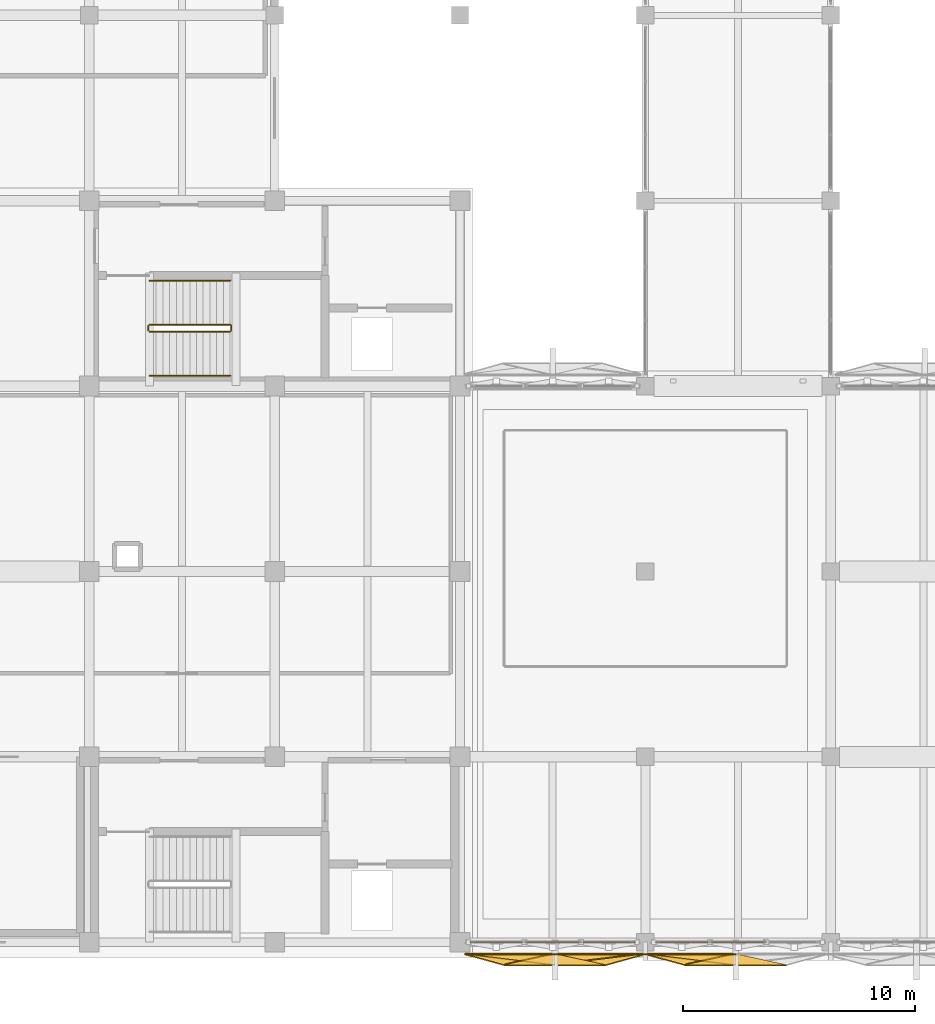
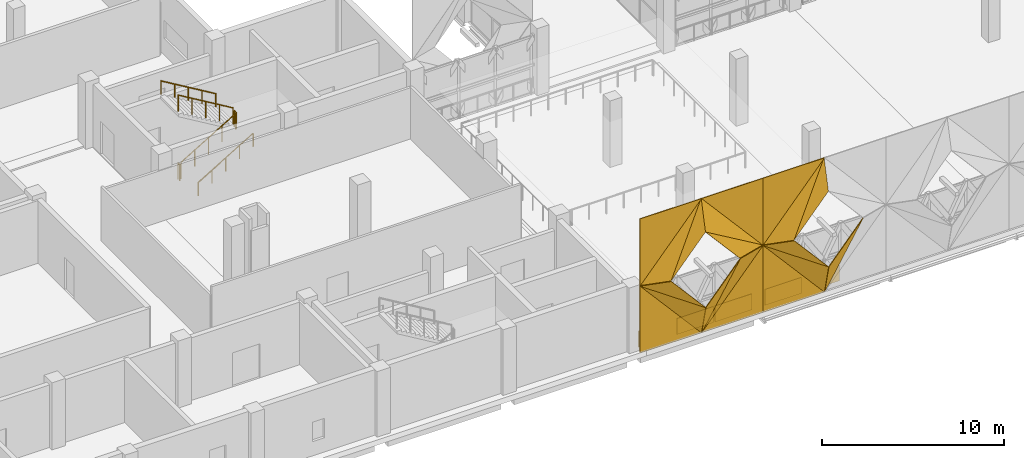
# One storey, part 43 of 53: 24 coverings, 6 railings.
"""IFC4 building model written with IfcOpenShell, lengths in metres."""

from ifc_helpers import new_model, si_unit, direction, frame, origin, origin_2d, place, context, subcontext, project, spatial, polyline, rectangle, circle, outline, extrude, material, layer, layer_set, type_object, element, save


model = new_model("IFC4")

# Units and contexts
model_context = context("Model", 3, precision=1e-05, world=origin(), true_north=direction((0.0, 1.0)))
body_context = subcontext(model_context, "Body", "Model", "MODEL_VIEW")
ifc_project = project(units=[si_unit("LENGTHUNIT", "METRE"), si_unit("AREAUNIT", "SQUARE_METRE"), si_unit("VOLUMEUNIT", "CUBIC_METRE"), si_unit("PLANEANGLEUNIT", "RADIAN"), si_unit("MASSUNIT", "GRAM", prefix="KILO")], contexts=[model_context])

# Site, building, storey
site_placement = place(None, origin())
site = spatial("IfcSite", under=ifc_project, at=site_placement, CompositionType="ELEMENT")
building_placement = place(site_placement, origin())
building = spatial("IfcBuilding", under=site, at=building_placement, Name="Qorikala Patio Media Centre", CompositionType="ELEMENT")
storey_placement = place(building_placement, frame((0.0, 0.0, 5.39990234375)))
storey = spatial("IfcBuildingStorey", under=building, at=storey_placement, Name="L01", CompositionType="ELEMENT", Elevation=5.39990234375)

# Coverings
ifc_material_1 = material(Name="Golden Bronze Anodised Aluminium Panel", Category="aluminium")
ifc_layer = layer(ifc_material_1, 0.044921875)
ifc_layer_set = layer_set([ifc_layer], Name="Golden Bronze Anodised Aluminium Panel")
covering_type = type_object("IfcCoveringType", Name="COV-CLAD-GOLD", PredefinedType="CLADDING", material=ifc_layer_set)
for number, where, z_axis, x_axis, name in (
    (1, (55.0, 3.0, 0.0), (0.0, 0.0, 1.0), (-1.0, 0.0, 0.0), "L01 Golden Diamond Fold Spandrel 035"),
    (2, (52.5732421875, 3.0, 0.0), (0.0, 0.0, 1.0), (-1.0, 0.0, 0.0), "L01 Golden Diamond Fold Spandrel 036"),
    (3, (49.4267578125, 3.0, 0.0), (0.0, 0.0, 1.0), (-1.0, 0.0, 0.0), "L01 Golden Diamond Fold Spandrel 037"),
    (4, (47.0, 3.0, 0.0), (0.0, 0.0, 1.0), (-1.0, 0.0, 0.0), "L01 Golden Diamond Fold Spandrel 038"),
    (5, (44.5732421875, 3.0, 0.0), (0.0, 0.0, 1.0), (-1.0, 0.0, 0.0), "L01 Golden Diamond Fold Spandrel 039"),
):
    element("IfcCovering", number, at=place(storey_placement, frame(where, z_axis=z_axis, x_axis=x_axis)), inside=storey, type_object=covering_type, Name=name, PredefinedType="CLADDING", context=body_context, shape_type="SweptSolid", body=[
        extrude(rectangle(XDim=2.32666015625, YDim=0.044921875, at=origin_2d()), origin(), (0.0, 0.0, 1.0), 1.077880859375),
    ])
covering_1_placement = place(storey_placement, frame((47.10009765625, 2.5, 9.0), z_axis=(-0.259956156203, -0.938968048279, 0.22530379749), x_axis=(-0.654944585876, 0.0, -0.755676908098)))
element("IfcCovering", 6, at=covering_1_placement, inside=storey, type_object=covering_type, Name="Golden Folded Diamond Facet S-1.1.TLA", PredefinedType="CLADDING", context=body_context, shape_type="SweptSolid", body=[
    extrude(outline(polyline([(0.0, 0.0), (5.954925910503226, 0.0), (4.830998787915266, 1.3810803066312252), (0.0, 0.0)])), origin(), (0.0, 0.0, -1.0), 0.044921875),
])
covering_2_placement = place(storey_placement, frame((47.10009765625, 2.5, 9.0), z_axis=(-0.259960295692, -0.938966460381, 0.225305638952), x_axis=(-0.434683585743, -0.094555584379, -0.895605617305)))
element("IfcCovering", 7, at=covering_2_placement, inside=storey, type_object=covering_type, Name="Golden Folded Diamond Facet S-1.1.TLB", PredefinedType="CLADDING", context=body_context, shape_type="SweptSolid", body=[
    extrude(outline(polyline([(0.0, 0.0), (5.024533023297128, 0.0), (1.8182047664907954, 0.9166088951760534), (0.0, 0.0)])), origin(), (0.0, 0.0, -1.0), 0.044921875),
])
covering_3_placement = place(storey_placement, frame((51.0, 2.5, 4.5), z_axis=(0.259973591034, -0.938962979761, 0.225304803775), x_axis=(-0.654921173069, 0.0, 0.755697199324)))
element("IfcCovering", 8, at=covering_3_placement, inside=storey, type_object=covering_type, Name="Golden Folded Diamond Facet S-1.1.TRA", PredefinedType="CLADDING", context=body_context, shape_type="SweptSolid", body=[
    extrude(outline(polyline([(0.0, 0.0), (5.9547660147806605, -4.440892098500626e-16), (4.458500319829892, 1.3810247679600853), (0.0, 0.0)])), origin(), (0.0, 0.0, -1.0), 0.044921875),
])
covering_4_placement = place(storey_placement, frame((51.0, 2.5, 4.5), z_axis=(0.25995773344, -0.938973745299, 0.225278233445), x_axis=(-0.83554610606, -0.10178870179, 0.539909033852)))
element("IfcCovering", 9, at=covering_4_placement, inside=storey, type_object=covering_type, Name="Golden Folded Diamond Facet S-1.1.TRB", PredefinedType="CLADDING", context=body_context, shape_type="SweptSolid", body=[
    extrude(outline(polyline([(0.0, 0.0), (4.667489101395145, -4.440892098500626e-16), (1.4822105452103993, 0.9867354710967576), (0.0, 0.0)])), origin(), (0.0, 0.0, -1.0), 0.044921875),
])
covering_5_placement = place(storey_placement, frame((47.10009765625, 2.5, 0.0), z_axis=(-0.259956982212, 0.938971031843, 0.225290409823), x_axis=(0.654921173069, 0.0, 0.755697199324)))
element("IfcCovering", 10, at=covering_5_placement, inside=storey, type_object=covering_type, Name="Golden Folded Diamond Facet S-1.1.BRA", PredefinedType="CLADDING", context=body_context, shape_type="SweptSolid", body=[
    extrude(outline(polyline([(0.0, 0.0), (5.9547660147806605, -4.440892098500626e-16), (4.830879070078474, -1.38111300253869), (0.0, 0.0)])), origin(), (0.0, 0.0, -1.0), 0.044921875),
])
covering_6_placement = place(storey_placement, frame((47.10009765625, 2.5, 0.0), z_axis=(-0.259987393467, 0.938959366186, 0.225303936695), x_axis=(0.434644175798, -0.094557581454, 0.895624533069)))
element("IfcCovering", 11, at=covering_6_placement, inside=storey, type_object=covering_type, Name="Golden Folded Diamond Facet S-1.1.BRB", PredefinedType="CLADDING", context=body_context, shape_type="SweptSolid", body=[
    extrude(outline(polyline([(0.0, 0.0), (5.02442690418556, -2.220446049250313e-16), (1.8182431681390123, -0.9165327168855022), (0.0, 0.0)])), origin(), (0.0, 0.0, -1.0), 0.044921875),
])
covering_7_placement = place(storey_placement, frame((43.199951171875, 2.5, 4.5), z_axis=(0.259958417044, 0.938966952181, 0.22530575696), x_axis=(0.654944585876, 0.0, -0.755676908098)))
element("IfcCovering", 12, at=covering_7_placement, inside=storey, type_object=covering_type, Name="Golden Folded Diamond Facet S-1.1.BLA", PredefinedType="CLADDING", context=body_context, shape_type="SweptSolid", body=[
    extrude(outline(polyline([(0.0, 0.0), (5.954925910503226, 0.0), (4.458700391784378, -1.3810682954655882), (0.0, 0.0)])), origin(), (0.0, 0.0, -1.0), 0.044921875),
])
covering_8_placement = place(storey_placement, frame((43.199951171875, 2.5, 4.5), z_axis=(0.259956258476, 0.938968417692, 0.225302139927), x_axis=(0.835561894446, -0.101784253308, -0.539885438152)))
element("IfcCovering", 13, at=covering_8_placement, inside=storey, type_object=covering_type, Name="Golden Folded Diamond Facet S-1.1.BLB", PredefinedType="CLADDING", context=body_context, shape_type="SweptSolid", body=[
    extrude(outline(polyline([(0.0, 0.0), (4.667693094071031, -8.881784197001252e-16), (1.4822355256344402, -0.9866979460810914), (0.0, 0.0)])), origin(), (0.0, 0.0, -1.0), 0.044921875),
])
covering_9_placement = place(storey_placement, frame((43.199951171875, 2.5, 9.0), z_axis=(0.0, 1.0, 0.0), x_axis=(1.0, 0.0, 0.0)))
element("IfcCovering", 14, at=covering_9_placement, inside=storey, type_object=covering_type, Name="Golden Diamond Valley Spandrel S-1.1.CTL", PredefinedType="CLADDING", context=body_context, shape_type="SweptSolid", body=[
    extrude(outline(polyline([(0.0, 0.0), (3.900146484375, 0.0), (0.0, 4.5), (0.0, 0.0)])), origin(), (0.0, 0.0, -1.0), 0.044921875),
])
covering_10_placement = place(storey_placement, frame((51.0, 2.5, 9.0), z_axis=(0.0, 1.0, 0.0), x_axis=(0.0, 0.0, -1.0)))
element("IfcCovering", 15, at=covering_10_placement, inside=storey, type_object=covering_type, Name="Golden Diamond Valley Spandrel S-1.1.CTR", PredefinedType="CLADDING", context=body_context, shape_type="SweptSolid", body=[
    extrude(outline(polyline([(0.0, 0.0), (4.5, 0.0), (0.0, 3.89990234375), (0.0, 0.0)])), origin(), (0.0, 0.0, -1.0), 0.044921875),
])
covering_11_placement = place(storey_placement, frame((51.0, 2.5, 0.0), z_axis=(0.0, 1.0, 0.0), x_axis=(-1.0, 0.0, 0.0)))
element("IfcCovering", 16, at=covering_11_placement, inside=storey, type_object=covering_type, Name="Golden Diamond Valley Spandrel S-1.1.CBR", PredefinedType="CLADDING", context=body_context, shape_type="SweptSolid", body=[
    extrude(outline(polyline([(0.0, 0.0), (3.89990234375, 0.0), (0.0, 4.5), (0.0, 0.0)])), origin(), (0.0, 0.0, -1.0), 0.044921875),
])
covering_12_placement = place(storey_placement, frame((43.199951171875, 2.5, 0.0), z_axis=(0.0, 1.0, 0.0), x_axis=(0.0, 0.0, 1.0)))
element("IfcCovering", 17, at=covering_12_placement, inside=storey, type_object=covering_type, Name="Golden Diamond Valley Spandrel S-1.1.CBL", PredefinedType="CLADDING", context=body_context, shape_type="SweptSolid", body=[
    extrude(outline(polyline([(0.0, 0.0), (4.5, 0.0), (0.0, 3.900146484375), (0.0, 0.0)])), origin(), (0.0, 0.0, -1.0), 0.044921875),
])
covering_13_placement = place(storey_placement, frame((54.89990234375, 2.5, 9.0), z_axis=(-0.259956982212, -0.938971031843, 0.225290409823), x_axis=(-0.654921173069, 0.0, -0.755697199324)))
element("IfcCovering", 18, at=covering_13_placement, inside=storey, type_object=covering_type, Name="Golden Folded Diamond Facet S-1.2.TLA", PredefinedType="CLADDING", context=body_context, shape_type="SweptSolid", body=[
    extrude(outline(polyline([(0.0, 0.0), (5.9547660147806605, 4.440892098500626e-16), (4.830879070078474, 1.38111300253869), (0.0, 0.0)])), origin(), (0.0, 0.0, -1.0), 0.044921875),
])
covering_14_placement = place(storey_placement, frame((54.89990234375, 2.5, 9.0), z_axis=(-0.259987393467, -0.938959366186, 0.225303936695), x_axis=(-0.434644175798, -0.094557581454, -0.895624533069)))
element("IfcCovering", 19, at=covering_14_placement, inside=storey, type_object=covering_type, Name="Golden Folded Diamond Facet S-1.2.TLB", PredefinedType="CLADDING", context=body_context, shape_type="SweptSolid", body=[
    extrude(outline(polyline([(0.0, 0.0), (5.02442690418556, 2.220446049250313e-16), (1.8182431681390123, 0.9165327168855022), (0.0, 0.0)])), origin(), (0.0, 0.0, -1.0), 0.044921875),
])
covering_15_placement = place(storey_placement, frame((54.89990234375, 2.5, 0.0), z_axis=(-0.259960295692, 0.938966460381, 0.225305638952), x_axis=(0.434683585743, -0.094555584379, 0.895605617305)))
element("IfcCovering", 20, at=covering_15_placement, inside=storey, type_object=covering_type, Name="Golden Folded Diamond Facet S-1.2.BRB", PredefinedType="CLADDING", context=body_context, shape_type="SweptSolid", body=[
    extrude(outline(polyline([(0.0, 0.0), (5.024533023297128, 0.0), (1.8182047664907954, -0.9166088951760534), (0.0, 0.0)])), origin(), (0.0, 0.0, -1.0), 0.044921875),
])
covering_16_placement = place(storey_placement, frame((51.0, 2.5, 4.5), z_axis=(0.259973591034, 0.938962979761, 0.225304803775), x_axis=(0.654921173069, 0.0, -0.755697199324)))
element("IfcCovering", 21, at=covering_16_placement, inside=storey, type_object=covering_type, Name="Golden Folded Diamond Facet S-1.2.BLA", PredefinedType="CLADDING", context=body_context, shape_type="SweptSolid", body=[
    extrude(outline(polyline([(0.0, 0.0), (5.9547660147806605, 4.440892098500626e-16), (4.458500319829892, -1.3810247679600853), (0.0, 0.0)])), origin(), (0.0, 0.0, -1.0), 0.044921875),
])
covering_17_placement = place(storey_placement, frame((51.0, 2.5, 4.5), z_axis=(0.25995773344, 0.938973745299, 0.225278233445), x_axis=(0.83554610606, -0.10178870179, -0.539909033852)))
element("IfcCovering", 22, at=covering_17_placement, inside=storey, type_object=covering_type, Name="Golden Folded Diamond Facet S-1.2.BLB", PredefinedType="CLADDING", context=body_context, shape_type="SweptSolid", body=[
    extrude(outline(polyline([(0.0, 0.0), (4.667489101395145, 4.440892098500626e-16), (1.4822105452103993, -0.9867354710967576), (0.0, 0.0)])), origin(), (0.0, 0.0, -1.0), 0.044921875),
])
covering_18_placement = place(storey_placement, frame((51.0, 2.5, 9.0), z_axis=(0.0, 1.0, 0.0), x_axis=(1.0, 0.0, 0.0)))
element("IfcCovering", 23, at=covering_18_placement, inside=storey, type_object=covering_type, Name="Golden Diamond Valley Spandrel S-1.2.CTL", PredefinedType="CLADDING", context=body_context, shape_type="SweptSolid", body=[
    extrude(outline(polyline([(0.0, 0.0), (3.89990234375, 0.0), (0.0, 4.5), (0.0, 0.0)])), origin(), (0.0, 0.0, -1.0), 0.044921875),
])
covering_19_placement = place(storey_placement, frame((51.0, 2.5, 0.0), z_axis=(0.0, 1.0, 0.0), x_axis=(0.0, 0.0, 1.0)))
element("IfcCovering", 24, at=covering_19_placement, inside=storey, type_object=covering_type, Name="Golden Diamond Valley Spandrel S-1.2.CBL", PredefinedType="CLADDING", context=body_context, shape_type="SweptSolid", body=[
    extrude(outline(polyline([(0.0, 0.0), (4.5, 0.0), (0.0, 3.89990234375), (0.0, 0.0)])), origin(), (0.0, 0.0, -1.0), 0.044921875),
])

# Railings
ifc_material_2 = material(Name="Wrought Bronze and Steel S355", Category="steel")
railing_type_1 = type_object("IfcRailingType", Name="RL-GUARD-110", PredefinedType="GUARDRAIL", material=ifc_material_2)
railing_1_placement = place(storey_placement, frame((29.60009765625, 29.35009765625, 0.173095703125)))
element("IfcRailing", 25, at=railing_1_placement, inside=storey, type_object=railing_type_1, Name="L01 ST-5 stair guard 1", PredefinedType="GUARDRAIL", context=body_context, shape_type="SweptSolid", body=[
    extrude(circle(Radius=0.02392578125, at=origin_2d()), frame((0.0, 0.0, 1.076171875), z_axis=(0.858697190188, 0.0, 0.512483302717), x_axis=(0.0, 1.0, 0.0)), (0.0, 0.0, 1.0), 4.052734375),
    extrude(circle(Radius=0.02099609375, at=origin_2d()), origin(), (0.0, 0.0, 1.0), 1.052001953125),
    extrude(circle(Radius=0.02099609375, at=origin_2d()), frame((0.8701171875, 0.0, 0.519287109375)), (0.0, 0.0, 1.0), 1.052001953125),
    extrude(circle(Radius=0.02099609375, at=origin_2d()), frame((1.739990234375, 0.0, 1.03857421875)), (0.0, 0.0, 1.0), 1.052001953125),
    extrude(circle(Radius=0.02099609375, at=origin_2d()), frame((2.60986328125, 0.0, 1.5576171875)), (0.0, 0.0, 1.0), 1.052001953125),
    extrude(circle(Radius=0.02099609375, at=origin_2d()), frame((3.47998046875, 0.0, 2.076904296875)), (0.0, 0.0, 1.0), 1.052001953125),
])
railing_2_placement = place(storey_placement, frame((33.1298828125, 29.39990234375, 2.25)))
element("IfcRailing", 26, at=railing_2_placement, inside=storey, type_object=railing_type_1, Name="L01 ST-5 stair guard 2", PredefinedType="GUARDRAIL", context=body_context, shape_type="SweptSolid", body=[
    extrude(circle(Radius=0.02392578125, at=origin_2d()), frame((0.0, 0.0, 1.076171875), z_axis=(0.0, 1.0, 0.0), x_axis=(-1.0, 0.0, 0.0)), (0.0, 0.0, 1.0), 0.2001953125),
    extrude(circle(Radius=0.02099609375, at=origin_2d()), origin(), (0.0, 0.0, 1.0), 1.052001953125),
    extrude(circle(Radius=0.02099609375, at=origin_2d()), frame((0.0, 0.2001953125, 0.0)), (0.0, 0.0, 1.0), 1.052001953125),
])
railing_3_placement = place(storey_placement, frame((33.080078125, 29.64990234375, 2.423095703125)))
element("IfcRailing", 27, at=railing_3_placement, inside=storey, type_object=railing_type_1, Name="L01 ST-5 stair guard 3", PredefinedType="GUARDRAIL", context=body_context, shape_type="SweptSolid", body=[
    extrude(circle(Radius=0.02392578125, at=origin_2d()), frame((0.0, 0.0, 1.076171875), z_axis=(-0.858697190188, 0.0, 0.512483302717), x_axis=(0.0, -1.0, 0.0)), (0.0, 0.0, 1.0), 4.052734375),
    extrude(circle(Radius=0.02099609375, at=origin_2d()), origin(), (0.0, 0.0, 1.0), 1.052001953125),
    extrude(circle(Radius=0.02099609375, at=origin_2d()), frame((-0.8701171875, 0.0, 0.519287109375)), (0.0, 0.0, 1.0), 1.052001953125),
    extrude(circle(Radius=0.02099609375, at=origin_2d()), frame((-1.739990234375, 0.0, 1.03857421875)), (0.0, 0.0, 1.0), 1.052001953125),
    extrude(circle(Radius=0.02099609375, at=origin_2d()), frame((-2.60986328125, 0.0, 1.5576171875)), (0.0, 0.0, 1.0), 1.052001953125),
    extrude(circle(Radius=0.02099609375, at=origin_2d()), frame((-3.47998046875, 0.0, 2.076904296875)), (0.0, 0.0, 1.0), 1.052001953125),
])
railing_4_placement = place(storey_placement, frame((29.550048828125, 29.39990234375, 0.0)))
element("IfcRailing", 28, at=railing_4_placement, inside=storey, type_object=railing_type_1, Name="L01 ST-5 stair guard 4", PredefinedType="GUARDRAIL", context=body_context, shape_type="SweptSolid", body=[
    extrude(circle(Radius=0.02392578125, at=origin_2d()), frame((0.0, 0.0, 1.076171875), z_axis=(0.0, 1.0, 0.0), x_axis=(-1.0, 0.0, 0.0)), (0.0, 0.0, 1.0), 0.2001953125),
    extrude(circle(Radius=0.02099609375, at=origin_2d()), origin(), (0.0, 0.0, 1.0), 1.052001953125),
    extrude(circle(Radius=0.02099609375, at=origin_2d()), frame((0.0, 0.2001953125, 0.0)), (0.0, 0.0, 1.0), 1.052001953125),
])
ifc_material_3 = material(Name="Brushed Bronze Tubular Steel S355", Category="steel")
railing_type_2 = type_object("IfcRailingType", Name="RL-HAND-090", PredefinedType="HANDRAIL", material=ifc_material_3)
railing_5_placement = place(storey_placement, frame((29.60009765625, 27.449951171875, 0.173095703125)))
element("IfcRailing", 29, at=railing_5_placement, inside=storey, type_object=railing_type_2, Name="L01 ST-5 stair handrail 1", PredefinedType="HANDRAIL", context=body_context, shape_type="SweptSolid", body=[
    extrude(circle(Radius=0.02392578125, at=origin_2d()), frame((0.0, 0.0, 0.8759765625), z_axis=(0.858697190188, 0.0, 0.512483302717), x_axis=(0.0, 1.0, 0.0)), (0.0, 0.0, 1.0), 4.052734375),
    extrude(circle(Radius=0.02099609375, at=origin_2d()), origin(), (0.0, 0.0, 1.0), 0.851806640625),
    extrude(circle(Radius=0.02099609375, at=origin_2d()), frame((0.8701171875, 0.0, 0.519287109375)), (0.0, 0.0, 1.0), 0.851806640625),
    extrude(circle(Radius=0.02099609375, at=origin_2d()), frame((1.739990234375, 0.0, 1.03857421875)), (0.0, 0.0, 1.0), 0.851806640625),
    extrude(circle(Radius=0.02099609375, at=origin_2d()), frame((2.60986328125, 0.0, 1.5576171875)), (0.0, 0.0, 1.0), 0.851806640625),
    extrude(circle(Radius=0.02099609375, at=origin_2d()), frame((3.47998046875, 0.0, 2.076904296875)), (0.0, 0.0, 1.0), 0.851806640625),
])
railing_6_placement = place(storey_placement, frame((33.080078125, 31.550048828125, 2.423095703125)))
element("IfcRailing", 30, at=railing_6_placement, inside=storey, type_object=railing_type_2, Name="L01 ST-5 stair handrail 2", PredefinedType="HANDRAIL", context=body_context, shape_type="SweptSolid", body=[
    extrude(circle(Radius=0.02392578125, at=origin_2d()), frame((0.0, 0.0, 0.8759765625), z_axis=(-0.858697190188, 0.0, 0.512483302717), x_axis=(0.0, -1.0, 0.0)), (0.0, 0.0, 1.0), 4.052734375),
    extrude(circle(Radius=0.02099609375, at=origin_2d()), origin(), (0.0, 0.0, 1.0), 0.851806640625),
    extrude(circle(Radius=0.02099609375, at=origin_2d()), frame((-0.8701171875, 0.0, 0.519287109375)), (0.0, 0.0, 1.0), 0.851806640625),
    extrude(circle(Radius=0.02099609375, at=origin_2d()), frame((-1.739990234375, 0.0, 1.03857421875)), (0.0, 0.0, 1.0), 0.851806640625),
    extrude(circle(Radius=0.02099609375, at=origin_2d()), frame((-2.60986328125, 0.0, 1.5576171875)), (0.0, 0.0, 1.0), 0.851806640625),
    extrude(circle(Radius=0.02099609375, at=origin_2d()), frame((-3.47998046875, 0.0, 2.076904296875)), (0.0, 0.0, 1.0), 0.851806640625),
])

save(model, "model.ifc")
